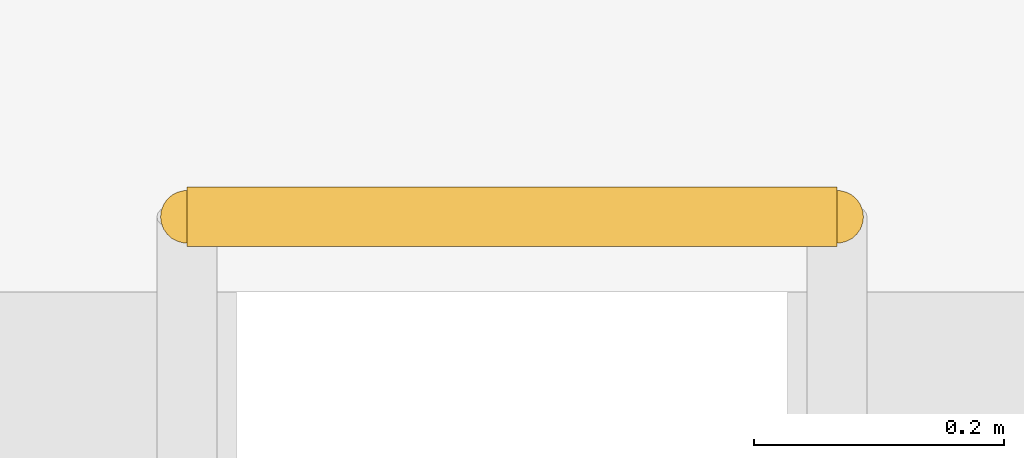
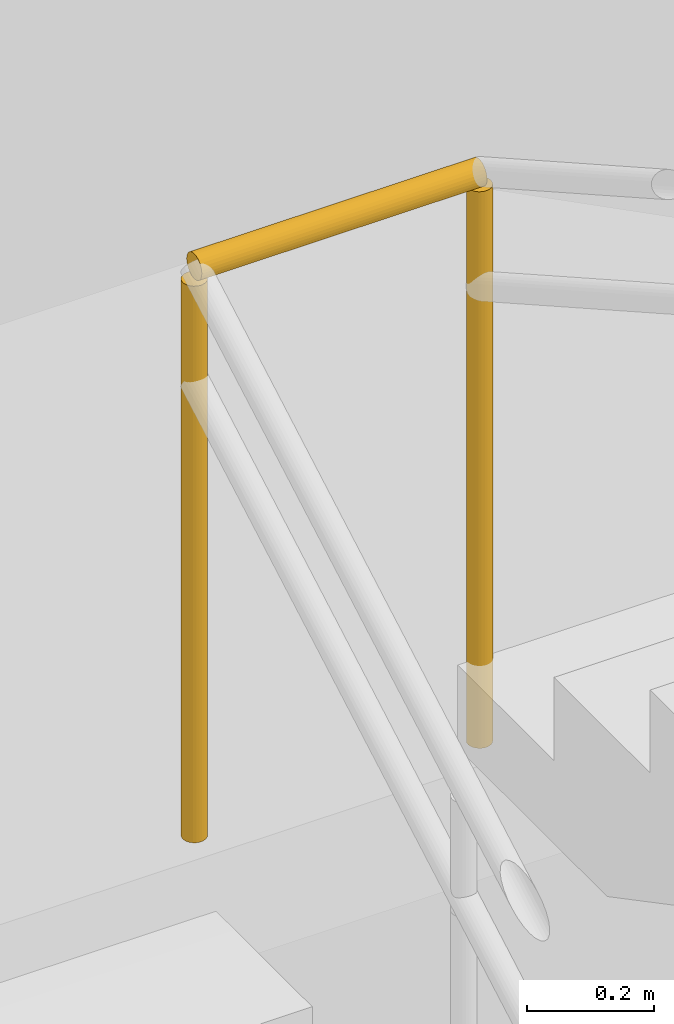
# One storey, part 86 of 93: 1 railing.
"""IFC4 building model written with IfcOpenShell, lengths in metres."""

from ifc_helpers import new_model, si_unit, direction, frame, origin, origin_2d, place, context, subcontext, project, spatial, circle, extrude, material, type_object, element, save


model = new_model("IFC4")

# Units and contexts
model_context = context("Model", 3, precision=1e-05, world=origin(), true_north=direction((0.0, 1.0)))
body_context = subcontext(model_context, "Body", "Model", "MODEL_VIEW")
ifc_project = project(units=[si_unit("LENGTHUNIT", "METRE"), si_unit("AREAUNIT", "SQUARE_METRE"), si_unit("VOLUMEUNIT", "CUBIC_METRE"), si_unit("PLANEANGLEUNIT", "RADIAN"), si_unit("MASSUNIT", "GRAM", prefix="KILO")], contexts=[model_context])

# Site, building, storey
site_placement = place(None, origin())
site = spatial("IfcSite", under=ifc_project, at=site_placement, CompositionType="ELEMENT")
building_placement = place(site_placement, origin())
building = spatial("IfcBuilding", under=site, at=building_placement, Name="Brisemont Oceanarium", CompositionType="ELEMENT")
storey_placement = place(building_placement, frame((0.0, 0.0, 5.39990234375)))
storey = spatial("IfcBuildingStorey", under=building, at=storey_placement, Name="L01", CompositionType="ELEMENT", Elevation=5.39990234375)

# Railing
ifc_material = material(Name="Duplex Stainless Steel EN 1.4462", Category="steel")
railing_type = type_object("IfcRailingType", Name="RLG-GUARD-1120", PredefinedType="GUARDRAIL", material=ifc_material)
railing_placement = place(storey_placement, frame((121.8701171875, 62.050048828125, 2.400146484375)))
element("IfcRailing", 1, at=railing_placement, inside=storey, type_object=railing_type, Name="ST-06 L01 landing slot guard", PredefinedType="GUARDRAIL", context=body_context, shape_type="SweptSolid", body=[
    extrude(circle(Radius=0.02392578125, at=origin_2d()), frame((0.0, 0.0, 1.09619140625), z_axis=(1.0, 0.0, 0.0), x_axis=(0.0, 1.0, 0.0)), (0.0, 0.0, 1.0), 0.519775390625),
    extrude(circle(Radius=0.02099609375, at=origin_2d()), origin(), (0.0, 0.0, 1.0), 1.072021484375),
    extrude(circle(Radius=0.02099609375, at=origin_2d()), frame((0.519775390625, 0.0, 0.0)), (0.0, 0.0, 1.0), 1.072021484375),
])

save(model, "model.ifc")
